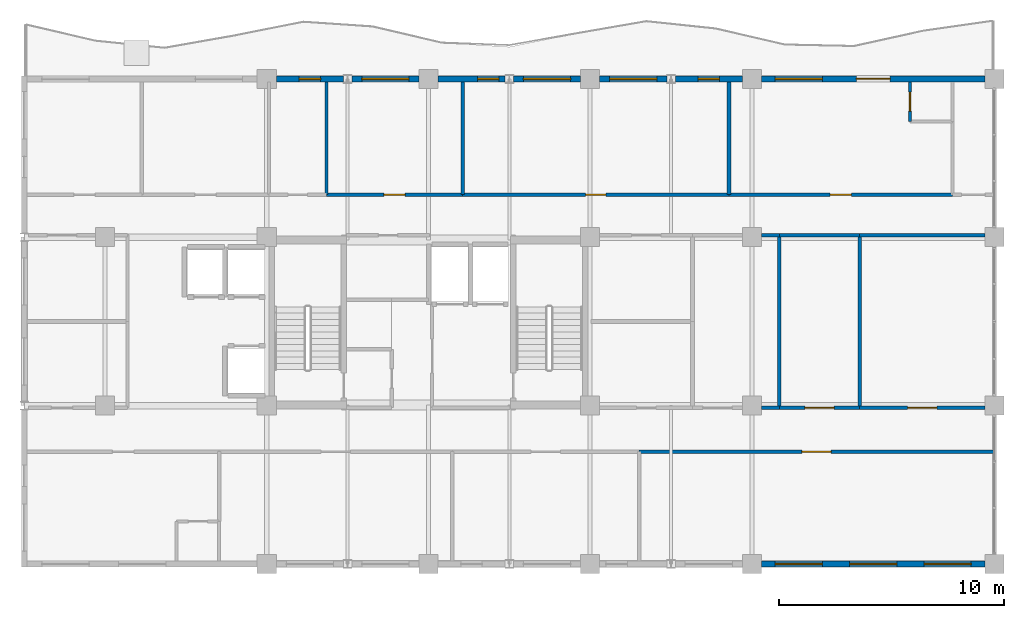
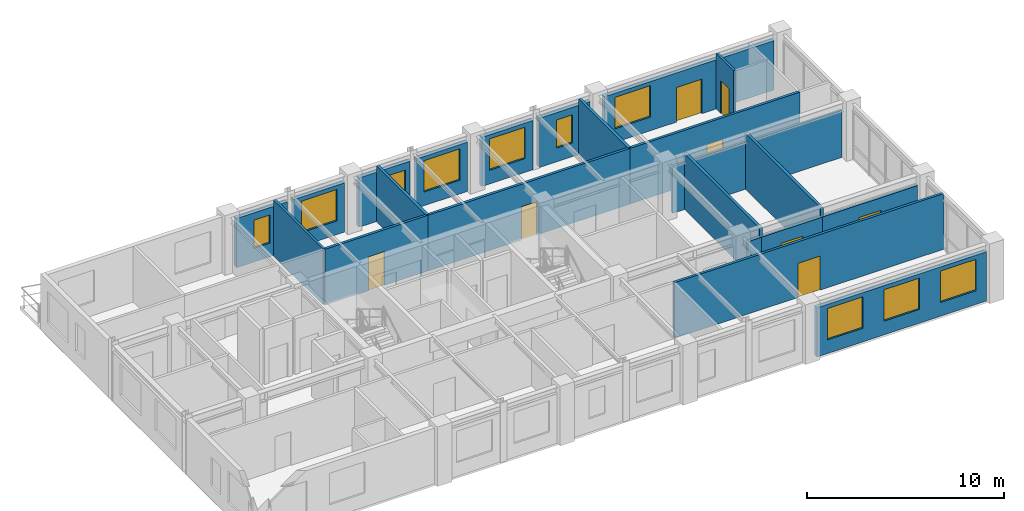
# One storey, part 8 of 11: 24 walls, 10 windows, 8 doors, 18 openings.
"""IFC4 building model written with IfcOpenShell, lengths in metres."""

from ifc_helpers import new_model, si_unit, direction, frame, frame_2d, origin, place, context, subcontext, project, spatial, rectangle, extrude, material, layer, layer_set, type_object, element, fill, save


model = new_model("IFC4")

# Units and contexts
model_context = context("Model", 3, precision=1e-05, world=origin(), true_north=direction((0.0, 1.0)))
body_context = subcontext(model_context, "Body", "Model", "MODEL_VIEW")
ifc_project = project(units=[si_unit("LENGTHUNIT", "METRE"), si_unit("AREAUNIT", "SQUARE_METRE"), si_unit("VOLUMEUNIT", "CUBIC_METRE"), si_unit("PLANEANGLEUNIT", "RADIAN"), si_unit("MASSUNIT", "GRAM", prefix="KILO")], contexts=[model_context])

# Site, building, storey
site_placement = place(None, origin())
site = spatial("IfcSite", under=ifc_project, at=site_placement, CompositionType="ELEMENT")
building_placement = place(site_placement, origin())
building = spatial("IfcBuilding", under=site, at=building_placement, Name="Kaliganga Portal Commons", CompositionType="ELEMENT")
storey_placement = place(building_placement, frame((0.0, 0.0, 261.0)))
storey = spatial("IfcBuildingStorey", under=building, at=storey_placement, Name="L67", CompositionType="ELEMENT", Elevation=261.0)

# Wall, openings, windows
ifc_material_1 = material(Name="Insulated Aluminium-Clad Spandrel Assembly", Category="aluminium")
ifc_layer_1 = layer(ifc_material_1, 0.260009765625)
ifc_layer_set_1 = layer_set([ifc_layer_1], Name="Insulated Aluminium-Clad Spandrel Assembly")
wall_type_1 = type_object("IfcWallType", Name="WL-EXT-SPAND-260", PredefinedType="STANDARD", material=ifc_layer_set_1)
wall_1_placement = place(storey_placement, frame((46.3740234375, 21.60009765625, 0.0), z_axis=(0.0, 0.0, 1.0), x_axis=(-1.0, 0.0, 0.0)))
wall_1 = element("IfcWall", 1, at=wall_1_placement, inside=storey, type_object=wall_type_1, Name="Exterior Envelope Wall L67 P1-E00-S8", PredefinedType="STANDARD", context=body_context, shape_type="SweptSolid", body=[
    extrude(rectangle(XDim=9.947998046875, YDim=0.260009765625, at=frame_2d((4.97412109375, 0.0))), origin(), (0.0, 0.0, 1.0), 3.054931640625),
])
opening_1_placement = place(wall_1_placement, frame((0.60791015625, 0.0, 0.85009765625)))
opening_1 = element("IfcOpeningElement", 2, at=opening_1_placement, cuts=wall_1, Name="Opening W-06", PredefinedType="OPENING", context=body_context, shape_type="SweptSolid", body=[
    extrude(rectangle(XDim=2.10009765625, YDim=1.949951171875, at=frame_2d((1.050048828125, 0.97509765625))), frame((0.0, 0.14013671875, 0.0), z_axis=(0.0, -1.0, 0.0), x_axis=(1.0, 0.0, 0.0)), (0.0, 0.0, 1.0), 0.280029296875),
])
opening_2_placement = place(wall_1_placement, frame((3.924072265625, 0.0, 0.85009765625)))
opening_2 = element("IfcOpeningElement", 3, at=opening_2_placement, cuts=wall_1, Name="Opening W-06", PredefinedType="OPENING", context=body_context, shape_type="SweptSolid", body=[
    extrude(rectangle(XDim=2.10009765625, YDim=1.949951171875, at=frame_2d((1.050048828125, 0.97509765625))), frame((0.0, 0.14013671875, 0.0), z_axis=(0.0, -1.0, 0.0), x_axis=(1.0, 0.0, 0.0)), (0.0, 0.0, 1.0), 0.280029296875),
])
opening_3_placement = place(wall_1_placement, frame((7.239990234375, 0.0, 0.85009765625)))
opening_3 = element("IfcOpeningElement", 4, at=opening_3_placement, cuts=wall_1, Name="Opening W-06", PredefinedType="OPENING", context=body_context, shape_type="SweptSolid", body=[
    extrude(rectangle(XDim=2.10009765625, YDim=1.949951171875, at=frame_2d((1.050048828125, 0.97509765625))), frame((0.0, 0.14013671875, 0.0), z_axis=(0.0, -1.0, 0.0), x_axis=(1.0, 0.0, 0.0)), (0.0, 0.0, 1.0), 0.280029296875),
])
ifc_material_2 = material(Name="Thermally Broken Aluminium and Low-E Double Glazing", Category="aluminium")
window_type_1 = type_object("IfcWindowType", Name="WIN-PAN-2100", PartitioningType="DOUBLE_PANEL_VERTICAL", PredefinedType="WINDOW", material=ifc_material_2)
window_1_placement = place(opening_1_placement, origin())
window_1 = element("IfcWindow", 5, at=window_1_placement, inside=storey, type_object=window_type_1, Name="Facade Window L67-P1E00S8-00", OverallHeight=1.949951171875, OverallWidth=2.10009765625, PartitioningType="SINGLE_PANEL", PredefinedType="WINDOW", context=body_context, shape_type="SweptSolid", body=[
    extrude(rectangle(XDim=2.10009765625, YDim=1.949951171875, at=frame_2d((1.050048828125, 0.97509765625))), frame((0.0, 0.030029296875, 0.0), z_axis=(0.0, -1.0, 0.0), x_axis=(1.0, 0.0, 0.0)), (0.0, 0.0, 1.0), 0.06005859375),
])
fill(opening_1, window_1)
window_2_placement = place(opening_2_placement, origin())
window_2 = element("IfcWindow", 6, at=window_2_placement, inside=storey, type_object=window_type_1, Name="Facade Window L67-P1E00S8-01", OverallHeight=1.949951171875, OverallWidth=2.10009765625, PartitioningType="SINGLE_PANEL", PredefinedType="WINDOW", context=body_context, shape_type="SweptSolid", body=[
    extrude(rectangle(XDim=2.10009765625, YDim=1.949951171875, at=frame_2d((1.050048828125, 0.97509765625))), frame((0.0, 0.030029296875, 0.0), z_axis=(0.0, -1.0, 0.0), x_axis=(1.0, 0.0, 0.0)), (0.0, 0.0, 1.0), 0.06005859375),
])
fill(opening_2, window_2)
window_3_placement = place(opening_3_placement, origin())
window_3 = element("IfcWindow", 7, at=window_3_placement, inside=storey, type_object=window_type_1, Name="Facade Window L67-P1E00S8-02", OverallHeight=1.949951171875, OverallWidth=2.10009765625, PartitioningType="SINGLE_PANEL", PredefinedType="WINDOW", context=body_context, shape_type="SweptSolid", body=[
    extrude(rectangle(XDim=2.10009765625, YDim=1.949951171875, at=frame_2d((1.050048828125, 0.97509765625))), frame((0.0, 0.030029296875, 0.0), z_axis=(0.0, -1.0, 0.0), x_axis=(1.0, 0.0, 0.0)), (0.0, 0.0, 1.0), 0.06005859375),
])
fill(opening_3, window_3)

# Wall, openings, door, window
wall_2_placement = place(storey_placement, frame((36.426025390625, 43.199951171875, 0.0), z_axis=(0.0, 0.0, 1.0), x_axis=(1.0, 0.0, 0.0)))
wall_2 = element("IfcWall", 8, at=wall_2_placement, inside=storey, type_object=wall_type_1, Name="Exterior Envelope Wall L67 P1-E02-S1", PredefinedType="STANDARD", context=body_context, shape_type="SweptSolid", body=[
    extrude(rectangle(XDim=9.947998046875, YDim=0.260009765625, at=frame_2d((4.97412109375, 0.0))), origin(), (0.0, 0.0, 1.0), 3.054931640625),
])
opening_4_placement = place(wall_2_placement, frame((4.22412109375, 0.0, 0.0)))
opening_4 = element("IfcOpeningElement", 9, at=opening_4_placement, cuts=wall_2, Name="Opening BD-01", PredefinedType="OPENING", context=body_context, shape_type="SweptSolid", body=[
    extrude(rectangle(XDim=1.5, YDim=2.14990234375, at=frame_2d((0.75, 1.074951171875))), frame((0.0, 0.14013671875, 0.0), z_axis=(0.0, -1.0, 0.0), x_axis=(1.0, 0.0, 0.0)), (0.0, 0.0, 1.0), 0.280029296875),
])
opening_5_placement = place(wall_2_placement, frame((0.60791015625, 0.0, 0.85009765625)))
opening_5 = element("IfcOpeningElement", 10, at=opening_5_placement, cuts=wall_2, Name="Opening W-06", PredefinedType="OPENING", context=body_context, shape_type="SweptSolid", body=[
    extrude(rectangle(XDim=2.10009765625, YDim=1.949951171875, at=frame_2d((1.050048828125, 0.97509765625))), frame((0.0, 0.14013671875, 0.0), z_axis=(0.0, -1.0, 0.0), x_axis=(1.0, 0.0, 0.0)), (0.0, 0.0, 1.0), 0.280029296875),
])
ifc_material_3 = material(Name="Anodized Aluminium and Laminated Safety Glass", Category="aluminium")
door_type_1 = type_object("IfcDoorType", Name="DR-BALC-1500", OperationType="SLIDING_TO_LEFT", PredefinedType="DOOR", material=ifc_material_3)
door_1_placement = place(opening_4_placement, origin())
door_1 = element("IfcDoor", 11, at=door_1_placement, inside=storey, type_object=door_type_1, Name="Balcony Sliding Door L67 balc_north", OperationType="SLIDING_TO_LEFT", OverallHeight=2.14990234375, OverallWidth=1.5, PredefinedType="DOOR", context=body_context, shape_type="SweptSolid", body=[
    extrude(rectangle(XDim=1.5, YDim=2.14990234375, at=frame_2d((0.75, 1.074951171875))), frame((0.0, 0.02490234375, 0.0), z_axis=(0.0, -1.0, 0.0), x_axis=(1.0, 0.0, 0.0)), (0.0, 0.0, 1.0), 0.050048828125),
])
fill(opening_4, door_1)
window_4_placement = place(opening_5_placement, origin())
window_4 = element("IfcWindow", 12, at=window_4_placement, inside=storey, type_object=window_type_1, Name="Facade Window L67-P1E02S1-00", OverallHeight=1.949951171875, OverallWidth=2.10009765625, PartitioningType="SINGLE_PANEL", PredefinedType="WINDOW", context=body_context, shape_type="SweptSolid", body=[
    extrude(rectangle(XDim=2.10009765625, YDim=1.949951171875, at=frame_2d((1.050048828125, 0.97509765625))), frame((0.0, 0.030029296875, 0.0), z_axis=(0.0, -1.0, 0.0), x_axis=(1.0, 0.0, 0.0)), (0.0, 0.0, 1.0), 0.06005859375),
])
fill(opening_5, window_4)

# Wall, opening, window
wall_3_placement = place(storey_placement, frame((32.587890625, 43.199951171875, 0.0), z_axis=(0.0, 0.0, 1.0), x_axis=(1.0, 0.0, 0.0)))
wall_3 = element("IfcWall", 13, at=wall_3_placement, inside=storey, type_object=wall_type_1, Name="Exterior Envelope Wall L67 P1-E02-S2", PredefinedType="STANDARD", context=body_context, shape_type="SweptSolid", body=[
    extrude(rectangle(XDim=2.986083984375, YDim=0.260009765625, at=frame_2d((1.4931640625, 0.0))), origin(), (0.0, 0.0, 1.0), 3.054931640625),
])
opening_6_placement = place(wall_3_placement, frame((1.01806640625, 0.0, 0.85009765625)))
opening_6 = element("IfcOpeningElement", 14, at=opening_6_placement, cuts=wall_3, Name="Opening W-04", PredefinedType="OPENING", context=body_context, shape_type="SweptSolid", body=[
    extrude(rectangle(XDim=0.949951171875, YDim=1.75, at=frame_2d((0.47509765625, 0.875))), frame((0.0, 0.14013671875, 0.0), z_axis=(0.0, -1.0, 0.0), x_axis=(1.0, 0.0, 0.0)), (0.0, 0.0, 1.0), 0.280029296875),
])
window_type_2 = type_object("IfcWindowType", Name="WIN-NARROW-950", PartitioningType="SINGLE_PANEL", PredefinedType="WINDOW", material=ifc_material_2)
window_5_placement = place(opening_6_placement, origin())
window_5 = element("IfcWindow", 15, at=window_5_placement, inside=storey, type_object=window_type_2, Name="Facade Window L67-P1E02S2-N0", OverallHeight=1.75, OverallWidth=0.949951171875, PartitioningType="SINGLE_PANEL", PredefinedType="WINDOW", context=body_context, shape_type="SweptSolid", body=[
    extrude(rectangle(XDim=0.949951171875, YDim=1.75, at=frame_2d((0.47509765625, 0.875))), frame((0.0, 0.030029296875, 0.0), z_axis=(0.0, -1.0, 0.0), x_axis=(1.0, 0.0, 0.0)), (0.0, 0.0, 1.0), 0.06005859375),
])
fill(opening_6, window_5)

wall_4_placement = place(storey_placement, frame((29.22607421875, 43.199951171875, 0.0), z_axis=(0.0, 0.0, 1.0), x_axis=(1.0, 0.0, 0.0)))
wall_4 = element("IfcWall", 16, at=wall_4_placement, inside=storey, type_object=wall_type_1, Name="Exterior Envelope Wall L67 P1-E02-S3", PredefinedType="STANDARD", context=body_context, shape_type="SweptSolid", body=[
    extrude(rectangle(XDim=2.98583984375, YDim=0.260009765625, at=frame_2d((1.492919921875, 0.0))), origin(), (0.0, 0.0, 1.0), 3.054931640625),
])
opening_7_placement = place(wall_4_placement, frame((0.443115234375, 0.0, 0.85009765625)))
opening_7 = element("IfcOpeningElement", 17, at=opening_7_placement, cuts=wall_4, Name="Opening W-06", PredefinedType="OPENING", context=body_context, shape_type="SweptSolid", body=[
    extrude(rectangle(XDim=2.10009765625, YDim=1.949951171875, at=frame_2d((1.050048828125, 0.97509765625))), frame((0.0, 0.14013671875, 0.0), z_axis=(0.0, -1.0, 0.0), x_axis=(1.0, 0.0, 0.0)), (0.0, 0.0, 1.0), 0.280029296875),
])
window_6_placement = place(opening_7_placement, origin())
window_6 = element("IfcWindow", 18, at=window_6_placement, inside=storey, type_object=window_type_1, Name="Facade Window L67-P1E02S3-00", OverallHeight=1.949951171875, OverallWidth=2.10009765625, PartitioningType="SINGLE_PANEL", PredefinedType="WINDOW", context=body_context, shape_type="SweptSolid", body=[
    extrude(rectangle(XDim=2.10009765625, YDim=1.949951171875, at=frame_2d((1.050048828125, 0.97509765625))), frame((0.0, 0.030029296875, 0.0), z_axis=(0.0, -1.0, 0.0), x_axis=(1.0, 0.0, 0.0)), (0.0, 0.0, 1.0), 0.06005859375),
])
fill(opening_7, window_6)

wall_5_placement = place(storey_placement, frame((25.387939453125, 43.199951171875, 0.0), z_axis=(0.0, 0.0, 1.0), x_axis=(1.0, 0.0, 0.0)))
wall_5 = element("IfcWall", 19, at=wall_5_placement, inside=storey, type_object=wall_type_1, Name="Exterior Envelope Wall L67 P1-E02-S4", PredefinedType="STANDARD", context=body_context, shape_type="SweptSolid", body=[
    extrude(rectangle(XDim=2.986083984375, YDim=0.260009765625, at=frame_2d((1.4931640625, 0.0))), origin(), (0.0, 0.0, 1.0), 3.054931640625),
])
opening_8_placement = place(wall_5_placement, frame((0.443115234375, 0.0, 0.85009765625)))
opening_8 = element("IfcOpeningElement", 20, at=opening_8_placement, cuts=wall_5, Name="Opening W-06", PredefinedType="OPENING", context=body_context, shape_type="SweptSolid", body=[
    extrude(rectangle(XDim=2.10009765625, YDim=1.949951171875, at=frame_2d((1.050048828125, 0.97509765625))), frame((0.0, 0.14013671875, 0.0), z_axis=(0.0, -1.0, 0.0), x_axis=(1.0, 0.0, 0.0)), (0.0, 0.0, 1.0), 0.280029296875),
])
window_7_placement = place(opening_8_placement, origin())
window_7 = element("IfcWindow", 21, at=window_7_placement, inside=storey, type_object=window_type_1, Name="Facade Window L67-P1E02S4-00", OverallHeight=1.949951171875, OverallWidth=2.10009765625, PartitioningType="SINGLE_PANEL", PredefinedType="WINDOW", context=body_context, shape_type="SweptSolid", body=[
    extrude(rectangle(XDim=2.10009765625, YDim=1.949951171875, at=frame_2d((1.050048828125, 0.97509765625))), frame((0.0, 0.030029296875, 0.0), z_axis=(0.0, -1.0, 0.0), x_axis=(1.0, 0.0, 0.0)), (0.0, 0.0, 1.0), 0.06005859375),
])
fill(opening_8, window_7)

wall_6_placement = place(storey_placement, frame((22.02587890625, 43.199951171875, 0.0), z_axis=(0.0, 0.0, 1.0), x_axis=(1.0, 0.0, 0.0)))
wall_6 = element("IfcWall", 22, at=wall_6_placement, inside=storey, type_object=wall_type_1, Name="Exterior Envelope Wall L67 P1-E02-S5", PredefinedType="STANDARD", context=body_context, shape_type="SweptSolid", body=[
    extrude(rectangle(XDim=2.986083984375, YDim=0.260009765625, at=frame_2d((1.4931640625, 0.0))), origin(), (0.0, 0.0, 1.0), 3.054931640625),
])
opening_9_placement = place(wall_6_placement, frame((1.758544921875, 0.0, 0.85009765625)))
opening_9 = element("IfcOpeningElement", 23, at=opening_9_placement, cuts=wall_6, Name="Opening W-04", PredefinedType="OPENING", context=body_context, shape_type="SweptSolid", body=[
    extrude(rectangle(XDim=0.949951171875, YDim=1.75, at=frame_2d((0.47509765625, 0.875))), frame((0.0, 0.14013671875, 0.0), z_axis=(0.0, -1.0, 0.0), x_axis=(1.0, 0.0, 0.0)), (0.0, 0.0, 1.0), 0.280029296875),
])
window_8_placement = place(opening_9_placement, origin())
window_8 = element("IfcWindow", 24, at=window_8_placement, inside=storey, type_object=window_type_2, Name="Facade Window L67-P1E02S5-N2", OverallHeight=1.75, OverallWidth=0.949951171875, PartitioningType="SINGLE_PANEL", PredefinedType="WINDOW", context=body_context, shape_type="SweptSolid", body=[
    extrude(rectangle(XDim=0.949951171875, YDim=1.75, at=frame_2d((0.47509765625, 0.875))), frame((0.0, 0.030029296875, 0.0), z_axis=(0.0, -1.0, 0.0), x_axis=(1.0, 0.0, 0.0)), (0.0, 0.0, 1.0), 0.06005859375),
])
fill(opening_9, window_8)

wall_7_placement = place(storey_placement, frame((18.18798828125, 43.199951171875, 0.0), z_axis=(0.0, 0.0, 1.0), x_axis=(1.0, 0.0, 0.0)))
wall_7 = element("IfcWall", 25, at=wall_7_placement, inside=storey, type_object=wall_type_1, Name="Exterior Envelope Wall L67 P1-E02-S6", PredefinedType="STANDARD", context=body_context, shape_type="SweptSolid", body=[
    extrude(rectangle(XDim=2.986083984375, YDim=0.260009765625, at=frame_2d((1.4931640625, 0.0))), origin(), (0.0, 0.0, 1.0), 3.054931640625),
])
opening_10_placement = place(wall_7_placement, frame((0.443115234375, 0.0, 0.85009765625)))
opening_10 = element("IfcOpeningElement", 26, at=opening_10_placement, cuts=wall_7, Name="Opening W-06", PredefinedType="OPENING", context=body_context, shape_type="SweptSolid", body=[
    extrude(rectangle(XDim=2.10009765625, YDim=1.949951171875, at=frame_2d((1.050048828125, 0.97509765625))), frame((0.0, 0.14013671875, 0.0), z_axis=(0.0, -1.0, 0.0), x_axis=(1.0, 0.0, 0.0)), (0.0, 0.0, 1.0), 0.280029296875),
])
window_9_placement = place(opening_10_placement, origin())
window_9 = element("IfcWindow", 27, at=window_9_placement, inside=storey, type_object=window_type_1, Name="Facade Window L67-P1E02S6-00", OverallHeight=1.949951171875, OverallWidth=2.10009765625, PartitioningType="SINGLE_PANEL", PredefinedType="WINDOW", context=body_context, shape_type="SweptSolid", body=[
    extrude(rectangle(XDim=2.10009765625, YDim=1.949951171875, at=frame_2d((1.050048828125, 0.97509765625))), frame((0.0, 0.030029296875, 0.0), z_axis=(0.0, -1.0, 0.0), x_axis=(1.0, 0.0, 0.0)), (0.0, 0.0, 1.0), 0.06005859375),
])
fill(opening_10, window_9)

wall_8_placement = place(storey_placement, frame((14.825927734375, 43.199951171875, 0.0), z_axis=(0.0, 0.0, 1.0), x_axis=(1.0, 0.0, 0.0)))
wall_8 = element("IfcWall", 28, at=wall_8_placement, inside=storey, type_object=wall_type_1, Name="Exterior Envelope Wall L67 P1-E02-S7", PredefinedType="STANDARD", context=body_context, shape_type="SweptSolid", body=[
    extrude(rectangle(XDim=2.986083984375, YDim=0.260009765625, at=frame_2d((1.4931640625, 0.0))), origin(), (0.0, 0.0, 1.0), 3.054931640625),
])
opening_11_placement = place(wall_8_placement, frame((1.01806640625, 0.0, 0.85009765625)))
opening_11 = element("IfcOpeningElement", 29, at=opening_11_placement, cuts=wall_8, Name="Opening W-04", PredefinedType="OPENING", context=body_context, shape_type="SweptSolid", body=[
    extrude(rectangle(XDim=0.949951171875, YDim=1.75, at=frame_2d((0.47509765625, 0.875))), frame((0.0, 0.14013671875, 0.0), z_axis=(0.0, -1.0, 0.0), x_axis=(1.0, 0.0, 0.0)), (0.0, 0.0, 1.0), 0.280029296875),
])
window_10_placement = place(opening_11_placement, origin())
window_10 = element("IfcWindow", 30, at=window_10_placement, inside=storey, type_object=window_type_2, Name="Facade Window L67-P1E02S7-N0", OverallHeight=1.75, OverallWidth=0.949951171875, PartitioningType="SINGLE_PANEL", PredefinedType="WINDOW", context=body_context, shape_type="SweptSolid", body=[
    extrude(rectangle(XDim=0.949951171875, YDim=1.75, at=frame_2d((0.47509765625, 0.875))), frame((0.0, 0.030029296875, 0.0), z_axis=(0.0, -1.0, 0.0), x_axis=(1.0, 0.0, 0.0)), (0.0, 0.0, 1.0), 0.06005859375),
])
fill(opening_11, window_10)

# Wall, opening, door
ifc_material_4 = material(Name="Fire-Rated Gypsum Board on Steel Stud", Category="steel")
ifc_layer_2 = layer(ifc_material_4, 0.14990234375)
ifc_layer_set_2 = layer_set([ifc_layer_2], Name="Fire-Rated Gypsum Board on Steel Stud")
wall_type_2 = type_object("IfcWallType", Name="WL-PART-CORR-150", PredefinedType="PARTITIONING", material=ifc_layer_set_2)
wall_9_placement = place(storey_placement, frame((30.97998046875, 26.60009765625, 0.0), z_axis=(0.0, 0.0, 1.0), x_axis=(1.0, 0.0, 0.0)))
wall_9 = element("IfcWall", 31, at=wall_9_placement, inside=storey, type_object=wall_type_2, Name="Interior Partition L67-007", PredefinedType="PARTITIONING", context=body_context, shape_type="SweptSolid", body=[
    extrude(rectangle(XDim=15.800048828125, YDim=0.14990234375, at=frame_2d((7.89990234375, 0.0))), origin(), (0.0, 0.0, 1.0), 3.455078125),
])
opening_12_placement = place(wall_9_placement, frame((7.25, 0.0, 0.0)))
opening_12 = element("IfcOpeningElement", 32, at=opening_12_placement, cuts=wall_9, Name="Opening RD-03", PredefinedType="OPENING", context=body_context, shape_type="SweptSolid", body=[
    extrude(rectangle(XDim=1.300048828125, YDim=2.1201171875, at=frame_2d((0.64990234375, 1.06005859375))), frame((0.0, 0.0849609375, 0.0), z_axis=(0.0, -1.0, 0.0), x_axis=(1.0, 0.0, 0.0)), (0.0, 0.0, 1.0), 0.169921875),
])
ifc_material_5 = material(Name="Glazed Timber Seminar Vision Door", Category="wood")
door_type_2 = type_object("IfcDoorType", Name="DR-STUDY-1300", OperationType="DOUBLE_DOOR_SINGLE_SWING", PredefinedType="DOOR", material=ifc_material_5)
door_2_placement = place(opening_12_placement, origin())
door_2 = element("IfcDoor", 33, at=door_2_placement, inside=storey, type_object=door_type_2, Name="Interior Door L67-AS04", OperationType="DOUBLE_DOOR_SINGLE_SWING", OverallHeight=2.1201171875, OverallWidth=1.300048828125, PredefinedType="DOOR", context=body_context, shape_type="SweptSolid", body=[
    extrude(rectangle(XDim=1.300048828125, YDim=2.1201171875, at=frame_2d((0.64990234375, 1.06005859375))), frame((0.0, 0.02490234375, 0.0), z_axis=(0.0, -1.0, 0.0), x_axis=(1.0, 0.0, 0.0)), (0.0, 0.0, 1.0), 0.050048828125),
])
fill(opening_12, door_2)

wall_10_placement = place(storey_placement, frame((23.1201171875, 38.0400390625, 0.0), z_axis=(0.0, 0.0, 1.0), x_axis=(1.0, 0.0, 0.0)))
wall_10 = element("IfcWall", 34, at=wall_10_placement, inside=storey, type_object=wall_type_2, Name="Interior Partition L67-008", PredefinedType="PARTITIONING", context=body_context, shape_type="SweptSolid", body=[
    extrude(rectangle(XDim=11.85986328125, YDim=0.14990234375, at=frame_2d((5.929931640625, 0.0))), origin(), (0.0, 0.0, 1.0), 3.455078125),
])
opening_13_placement = place(wall_10_placement, frame((5.47998046875, 0.0, 0.0)))
opening_13 = element("IfcOpeningElement", 35, at=opening_13_placement, cuts=wall_10, Name="Opening RD-01", PredefinedType="OPENING", context=body_context, shape_type="SweptSolid", body=[
    extrude(rectangle(XDim=0.89990234375, YDim=2.080078125, at=frame_2d((0.449951171875, 1.0400390625))), frame((0.0, 0.0849609375, 0.0), z_axis=(0.0, -1.0, 0.0), x_axis=(1.0, 0.0, 0.0)), (0.0, 0.0, 1.0), 0.169921875),
])
ifc_material_6 = material(Name="Engineered Timber Flush Door", Category="wood")
door_type_3 = type_object("IfcDoorType", Name="DR-ROOM-900", OperationType="NOTDEFINED", PredefinedType="DOOR", material=ifc_material_6)
door_3_placement = place(opening_13_placement, origin())
door_3 = element("IfcDoor", 36, at=door_3_placement, inside=storey, type_object=door_type_3, Name="Interior Door L67-AN05", OperationType="SINGLE_SWING_LEFT", OverallHeight=2.080078125, OverallWidth=0.89990234375, PredefinedType="DOOR", context=body_context, shape_type="SweptSolid", body=[
    extrude(rectangle(XDim=0.89990234375, YDim=2.080078125, at=frame_2d((0.449951171875, 1.0400390625))), frame((0.0, 0.02490234375, 0.0), z_axis=(0.0, -1.0, 0.0), x_axis=(1.0, 0.0, 0.0)), (0.0, 0.0, 1.0), 0.050048828125),
])
fill(opening_13, door_3)

wall_11_placement = place(storey_placement, frame((34.97998046875, 38.0400390625, 0.0), z_axis=(0.0, 0.0, 1.0), x_axis=(1.0, 0.0, 0.0)))
wall_11 = element("IfcWall", 37, at=wall_11_placement, inside=storey, type_object=wall_type_2, Name="Interior Partition L67-010", PredefinedType="PARTITIONING", context=body_context, shape_type="SweptSolid", body=[
    extrude(rectangle(XDim=9.9599609375, YDim=0.14990234375, at=frame_2d((4.97998046875, 0.0))), origin(), (0.0, 0.0, 1.0), 3.455078125),
])
opening_14_placement = place(wall_11_placement, frame((4.5048828125, 0.0, 0.0)))
opening_14 = element("IfcOpeningElement", 38, at=opening_14_placement, cuts=wall_11, Name="Opening UD-01", PredefinedType="OPENING", context=body_context, shape_type="SweptSolid", body=[
    extrude(rectangle(XDim=0.949951171875, YDim=2.10009765625, at=frame_2d((0.47509765625, 1.050048828125))), frame((0.0, 0.0849609375, 0.0), z_axis=(0.0, -1.0, 0.0), x_axis=(1.0, 0.0, 0.0)), (0.0, 0.0, 1.0), 0.169921875),
])
ifc_material_7 = material(Name="Solid-Core Timber Acoustic Fire Door", Category="wood")
door_type_4 = type_object("IfcDoorType", Name="DR-UNIT-950", OperationType="NOTDEFINED", PredefinedType="DOOR", material=ifc_material_7)
door_4_placement = place(opening_14_placement, origin())
door_4 = element("IfcDoor", 39, at=door_4_placement, inside=storey, type_object=door_type_4, Name="Interior Door L67-AN06", OperationType="SINGLE_SWING_LEFT", OverallHeight=2.10009765625, OverallWidth=0.949951171875, PredefinedType="DOOR", context=body_context, shape_type="SweptSolid", body=[
    extrude(rectangle(XDim=0.949951171875, YDim=2.10009765625, at=frame_2d((0.47509765625, 1.050048828125))), frame((0.0, 0.02490234375, 0.0), z_axis=(0.0, -1.0, 0.0), x_axis=(1.0, 0.0, 0.0)), (0.0, 0.0, 1.0), 0.050048828125),
])
fill(opening_14, door_4)

wall_12_placement = place(storey_placement, frame((17.06005859375, 38.0400390625, 0.0), z_axis=(0.0, 0.0, 1.0), x_axis=(1.0, 0.0, 0.0)))
wall_12 = element("IfcWall", 40, at=wall_12_placement, inside=storey, type_object=wall_type_2, Name="Interior Partition L67-013", PredefinedType="PARTITIONING", context=body_context, shape_type="SweptSolid", body=[
    extrude(rectangle(XDim=6.06005859375, YDim=0.14990234375, at=frame_2d((3.030029296875, 0.0))), origin(), (0.0, 0.0, 1.0), 3.455078125),
])
opening_15_placement = place(wall_12_placement, frame((2.554931640625, 0.0, 0.0)))
opening_15 = element("IfcOpeningElement", 41, at=opening_15_placement, cuts=wall_12, Name="Opening UD-01", PredefinedType="OPENING", context=body_context, shape_type="SweptSolid", body=[
    extrude(rectangle(XDim=0.949951171875, YDim=2.10009765625, at=frame_2d((0.47509765625, 1.050048828125))), frame((0.0, 0.0849609375, 0.0), z_axis=(0.0, -1.0, 0.0), x_axis=(1.0, 0.0, 0.0)), (0.0, 0.0, 1.0), 0.169921875),
])
door_5_placement = place(opening_15_placement, origin())
door_5 = element("IfcDoor", 42, at=door_5_placement, inside=storey, type_object=door_type_4, Name="Interior Door L67-AN04", OperationType="SINGLE_SWING_RIGHT", OverallHeight=2.10009765625, OverallWidth=0.949951171875, PredefinedType="DOOR", context=body_context, shape_type="SweptSolid", body=[
    extrude(rectangle(XDim=0.949951171875, YDim=2.10009765625, at=frame_2d((0.47509765625, 1.050048828125))), frame((0.0, 0.02490234375, 0.0), z_axis=(0.0, -1.0, 0.0), x_axis=(1.0, 0.0, 0.0)), (0.0, 0.0, 1.0), 0.050048828125),
])
fill(opening_15, door_5)

wall_13_placement = place(storey_placement, frame((40.800048828125, 28.56005859375, 0.0), z_axis=(0.0, 0.0, 1.0), x_axis=(1.0, 0.0, 0.0)))
wall_13 = element("IfcWall", 43, at=wall_13_placement, inside=storey, type_object=wall_type_2, Name="Interior Partition L67-014", PredefinedType="PARTITIONING", context=body_context, shape_type="SweptSolid", body=[
    extrude(rectangle(XDim=5.574951171875, YDim=0.14990234375, at=frame_2d((2.78759765625, 0.0))), origin(), (0.0, 0.0, 1.0), 2.905029296875),
])
opening_16_placement = place(wall_13_placement, frame((2.137451171875, 0.0, 0.0)))
opening_16 = element("IfcOpeningElement", 44, at=opening_16_placement, cuts=wall_13, Name="Opening RD-03", PredefinedType="OPENING", context=body_context, shape_type="SweptSolid", body=[
    extrude(rectangle(XDim=1.300048828125, YDim=2.1201171875, at=frame_2d((0.64990234375, 1.06005859375))), frame((0.0, 0.0849609375, 0.0), z_axis=(0.0, -1.0, 0.0), x_axis=(1.0, 0.0, 0.0)), (0.0, 0.0, 1.0), 0.169921875),
])
door_6_placement = place(opening_16_placement, origin())
door_6 = element("IfcDoor", 45, at=door_6_placement, inside=storey, type_object=door_type_2, Name="Interior Door L67-AE03", OperationType="DOUBLE_DOOR_SINGLE_SWING", OverallHeight=2.1201171875, OverallWidth=1.300048828125, PredefinedType="DOOR", context=body_context, shape_type="SweptSolid", body=[
    extrude(rectangle(XDim=1.300048828125, YDim=2.1201171875, at=frame_2d((0.64990234375, 1.06005859375))), frame((0.0, 0.02490234375, 0.0), z_axis=(0.0, -1.0, 0.0), x_axis=(1.0, 0.0, 0.0)), (0.0, 0.0, 1.0), 0.050048828125),
])
fill(opening_16, door_6)

# Walls
wall_14_placement = place(storey_placement, frame((40.800048828125, 36.239990234375, 0.0), z_axis=(0.0, 0.0, 1.0), x_axis=(1.0, 0.0, 0.0)))
element("IfcWall", 46, at=wall_14_placement, inside=storey, type_object=wall_type_2, Name="Interior Partition L67-015", PredefinedType="PARTITIONING", context=body_context, shape_type="SweptSolid", body=[
    extrude(rectangle(XDim=5.574951171875, YDim=0.14990234375, at=frame_2d((2.78759765625, 0.0))), origin(), (0.0, 0.0, 1.0), 2.905029296875),
])
for number, where, z_axis, x_axis, name in (
    (47, (36.425048828125, 28.56005859375, 0.0), (0.0, 0.0, 1.0), (1.0, 0.0, 0.0), "Interior Partition L67-025"),
    (48, (36.425048828125, 36.239990234375, 0.0), (0.0, 0.0, 1.0), (1.0, 0.0, 0.0), "Interior Partition L67-027"),
):
    element("IfcWall", number, at=place(storey_placement, frame(where, z_axis=z_axis, x_axis=x_axis)), inside=storey, type_object=wall_type_2, Name=name, PredefinedType="PARTITIONING", context=body_context, shape_type="SweptSolid", body=[
        extrude(rectangle(XDim=0.794921875, YDim=0.14990234375, at=frame_2d((0.3974609375, 0.0))), origin(), (0.0, 0.0, 1.0), 2.905029296875),
    ])

# Wall, opening, door
wall_15_placement = place(storey_placement, frame((37.219970703125, 28.56005859375, 0.0), z_axis=(0.0, 0.0, 1.0), x_axis=(1.0, 0.0, 0.0)))
wall_15 = element("IfcWall", 49, at=wall_15_placement, inside=storey, type_object=wall_type_2, Name="Interior Partition L67-031", PredefinedType="PARTITIONING", context=body_context, shape_type="SweptSolid", body=[
    extrude(rectangle(XDim=3.580078125, YDim=0.14990234375, at=frame_2d((1.7900390625, 0.0))), origin(), (0.0, 0.0, 1.0), 2.905029296875),
])
opening_17_placement = place(wall_15_placement, frame((1.139892578125, 0.0, 0.0)))
opening_17 = element("IfcOpeningElement", 50, at=opening_17_placement, cuts=wall_15, Name="Opening RD-03", PredefinedType="OPENING", context=body_context, shape_type="SweptSolid", body=[
    extrude(rectangle(XDim=1.300048828125, YDim=2.1201171875, at=frame_2d((0.64990234375, 1.06005859375))), frame((0.0, 0.0849609375, 0.0), z_axis=(0.0, -1.0, 0.0), x_axis=(1.0, 0.0, 0.0)), (0.0, 0.0, 1.0), 0.169921875),
])
door_7_placement = place(opening_17_placement, origin())
door_7 = element("IfcDoor", 51, at=door_7_placement, inside=storey, type_object=door_type_2, Name="Interior Door L67-AE02", OperationType="DOUBLE_DOOR_SINGLE_SWING", OverallHeight=2.1201171875, OverallWidth=1.300048828125, PredefinedType="DOOR", context=body_context, shape_type="SweptSolid", body=[
    extrude(rectangle(XDim=1.300048828125, YDim=2.1201171875, at=frame_2d((0.64990234375, 1.06005859375))), frame((0.0, 0.02490234375, 0.0), z_axis=(0.0, -1.0, 0.0), x_axis=(1.0, 0.0, 0.0)), (0.0, 0.0, 1.0), 0.050048828125),
])
fill(opening_17, door_7)

# Walls
wall_16_placement = place(storey_placement, frame((37.219970703125, 36.239990234375, 0.0), z_axis=(0.0, 0.0, 1.0), x_axis=(1.0, 0.0, 0.0)))
element("IfcWall", 52, at=wall_16_placement, inside=storey, type_object=wall_type_2, Name="Interior Partition L67-032", PredefinedType="PARTITIONING", context=body_context, shape_type="SweptSolid", body=[
    extrude(rectangle(XDim=3.580078125, YDim=0.14990234375, at=frame_2d((1.7900390625, 0.0))), origin(), (0.0, 0.0, 1.0), 2.905029296875),
])
ifc_material_8 = material(Name="Twin-Stud Acoustic Gypsum Partition", Category="gypsum")
ifc_layer_3 = layer(ifc_material_8, 0.1650390625)
ifc_layer_set_3 = layer_set([ifc_layer_3], Name="Twin-Stud Acoustic Gypsum Partition")
wall_type_3 = type_object("IfcWallType", Name="WL-PART-UNIT-165", PredefinedType="PARTITIONING", material=ifc_layer_set_3)
for number, where, z_axis, x_axis, name in (
    (53, (37.219970703125, 28.56005859375, 0.0), (0.0, 0.0, 1.0), (0.0, 1.0, 0.0), "Interior Partition L67-040"),
    (54, (40.800048828125, 28.56005859375, 0.0), (0.0, 0.0, 1.0), (0.0, 1.0, 0.0), "Interior Partition L67-041"),
):
    element("IfcWall", number, at=place(storey_placement, frame(where, z_axis=z_axis, x_axis=x_axis)), inside=storey, type_object=wall_type_3, Name=name, PredefinedType="PARTITIONING", context=body_context, shape_type="SweptSolid", body=[
        extrude(rectangle(XDim=7.679931640625, YDim=0.1650390625, at=frame_2d((3.83984375, 0.0))), origin(), (0.0, 0.0, 1.0), 3.455078125),
    ])
for number, where, z_axis, x_axis, name in (
    (55, (23.1201171875, 38.0400390625, 0.0), (0.0, 0.0, 1.0), (0.0, 1.0, 0.0), "Interior Partition L67-045"),
    (56, (34.97998046875, 38.0400390625, 0.0), (0.0, 0.0, 1.0), (0.0, 1.0, 0.0), "Interior Partition L67-046"),
):
    element("IfcWall", number, at=place(storey_placement, frame(where, z_axis=z_axis, x_axis=x_axis)), inside=storey, type_object=wall_type_3, Name=name, PredefinedType="PARTITIONING", context=body_context, shape_type="SweptSolid", body=[
        extrude(rectangle(XDim=5.028076171875, YDim=0.1650390625, at=frame_2d((2.51416015625, 0.0))), origin(), (0.0, 0.0, 1.0), 3.455078125),
    ])

# Wall, opening, door
ifc_material_9 = material(Name="Cement-Board Wet-Room Partition", Category="gypsum")
ifc_layer_4 = layer(ifc_material_9, 0.135009765625)
ifc_layer_set_4 = layer_set([ifc_layer_4], Name="Cement-Board Wet-Room Partition")
wall_type_4 = type_object("IfcWallType", Name="WL-PART-WET-135", PredefinedType="PARTITIONING", material=ifc_layer_set_4)
wall_17_placement = place(storey_placement, frame((43.0400390625, 41.300048828125, 0.0), z_axis=(0.0, 0.0, 1.0), x_axis=(0.0, 1.0, 0.0)))
wall_17 = element("IfcWall", 57, at=wall_17_placement, inside=storey, type_object=wall_type_4, Name="Interior Partition L67-001", PredefinedType="PARTITIONING", context=body_context, shape_type="SweptSolid", body=[
    extrude(rectangle(XDim=1.76806640625, YDim=0.135009765625, at=frame_2d((0.884033203125, 0.0))), origin(), (0.0, 0.0, 1.0), 3.455078125),
])
opening_18_placement = place(wall_17_placement, frame((0.458984375, 0.0, 0.0)))
opening_18 = element("IfcOpeningElement", 58, at=opening_18_placement, cuts=wall_17, Name="Opening WD-01", PredefinedType="OPENING", context=body_context, shape_type="SweptSolid", body=[
    extrude(rectangle(XDim=0.85009765625, YDim=2.0400390625, at=frame_2d((0.425048828125, 1.02001953125))), frame((0.0, 0.07763671875, 0.0), z_axis=(0.0, -1.0, 0.0), x_axis=(1.0, 0.0, 0.0)), (0.0, 0.0, 1.0), 0.155029296875),
])
ifc_material_10 = material(Name="Moisture-Resistant Laminate Timber Door", Category="wood")
door_type_5 = type_object("IfcDoorType", Name="DR-WET-850", OperationType="NOTDEFINED", PredefinedType="DOOR", material=ifc_material_10)
door_8_placement = place(opening_18_placement, origin())
door_8 = element("IfcDoor", 59, at=door_8_placement, inside=storey, type_object=door_type_5, Name="Interior Door L67-AN06E", OperationType="SINGLE_SWING_RIGHT", OverallHeight=2.0400390625, OverallWidth=0.85009765625, PredefinedType="DOOR", context=body_context, shape_type="SweptSolid", body=[
    extrude(rectangle(XDim=0.85009765625, YDim=2.0400390625, at=frame_2d((0.425048828125, 1.02001953125))), frame((0.0, 0.02490234375, 0.0), z_axis=(0.0, -1.0, 0.0), x_axis=(1.0, 0.0, 0.0)), (0.0, 0.0, 1.0), 0.050048828125),
])
fill(opening_18, door_8)

# Wall
wall_18_placement = place(storey_placement, frame((17.06005859375, 38.0400390625, 0.0), z_axis=(0.0, 0.0, 1.0), x_axis=(0.0, 1.0, 0.0)))
element("IfcWall", 60, at=wall_18_placement, inside=storey, type_object=wall_type_4, Name="Interior Partition L67-044", PredefinedType="PARTITIONING", context=body_context, shape_type="SweptSolid", body=[
    extrude(rectangle(XDim=5.028076171875, YDim=0.135009765625, at=frame_2d((2.51416015625, 0.0))), origin(), (0.0, 0.0, 1.0), 3.455078125),
])

save(model, "model.ifc")
